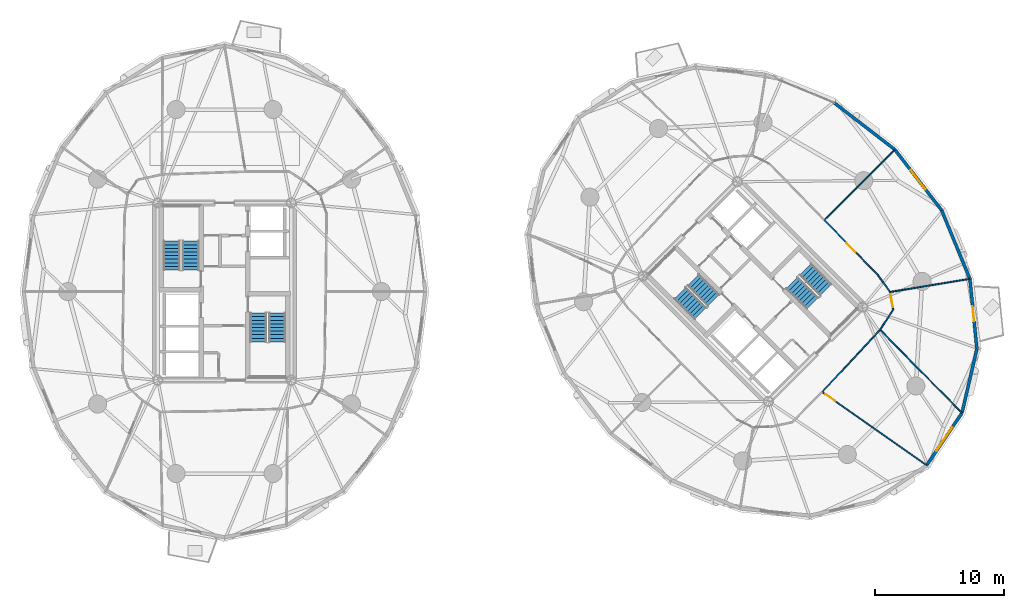
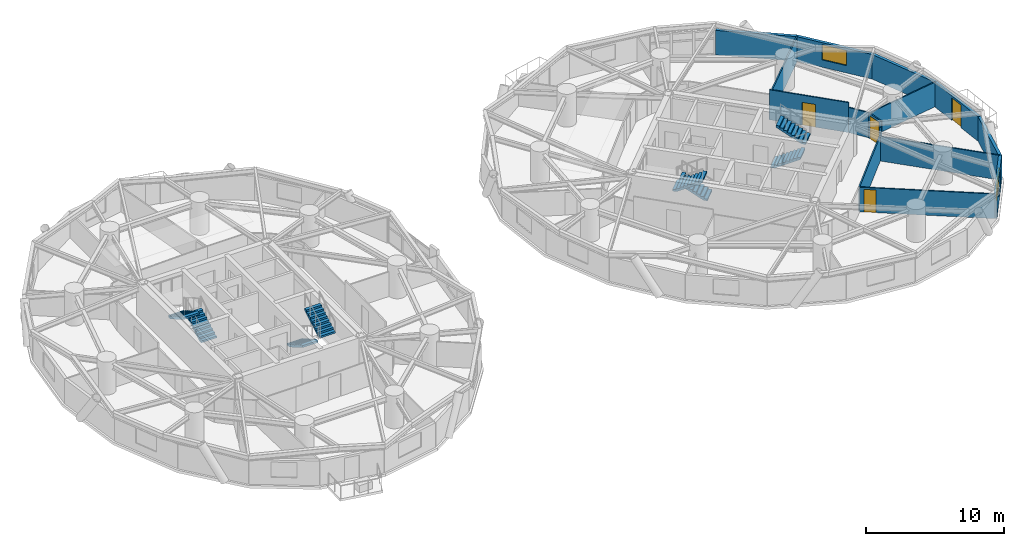
# One storey, part 14 of 17: 15 walls, 8 stair flights, 4 doors, 2 windows, 6 openings, 4 elements without a shape of their own.
"""IFC4 building model written with IfcOpenShell, lengths in metres."""

from ifc_helpers import new_model, si_unit, direction, frame, frame_2d, origin, place, context, subcontext, project, spatial, polyline, rectangle, outline, extrude, source, transform, mapped, material, layer, layer_set, type_object, element, fill, aggregate, save


model = new_model("IFC4")

# Units and contexts
model_context = context("Model", 3, precision=1e-05, world=origin(), true_north=direction((0.0, 1.0)))
body_context = subcontext(model_context, "Body", "Model", "MODEL_VIEW")
ifc_project = project(units=[si_unit("LENGTHUNIT", "METRE"), si_unit("AREAUNIT", "SQUARE_METRE"), si_unit("VOLUMEUNIT", "CUBIC_METRE"), si_unit("PLANEANGLEUNIT", "RADIAN"), si_unit("MASSUNIT", "GRAM", prefix="KILO")], contexts=[model_context])

# Site, building, storey
site_placement = place(None, origin())
site = spatial("IfcSite", under=ifc_project, at=site_placement, CompositionType="ELEMENT")
building_placement = place(site_placement, origin())
building = spatial("IfcBuilding", under=site, at=building_placement, Name="Cununo Teusaquillo Station Towers", CompositionType="ELEMENT")
storey_placement = place(building_placement, frame((0.0, 0.0, 96.340087890625)))
storey = spatial("IfcBuildingStorey", under=building, at=storey_placement, Name="L30", CompositionType="ELEMENT", Elevation=96.340087890625)

# Wall
ifc_material_1 = material(Name="Precast concrete C40/50", Category="concrete")
ifc_layer_1 = layer(ifc_material_1, 0.239990234375)
ifc_layer_set_1 = layer_set([ifc_layer_1], Name="Precast concrete C40/50")
wall_type_1 = type_object("IfcWallType", Name="WL-EXT-240", PredefinedType="SOLIDWALL", material=ifc_layer_set_1)
wall_1_placement = place(storey_placement, frame((63.811279296875, 39.145263671875, 0.0), z_axis=(0.0, 0.0, 1.0), x_axis=(0.791982052206, -0.61054437102, 0.0)))
element("IfcWall", 1, at=wall_1_placement, inside=storey, type_object=wall_type_1, Name="L30 Tower B Exterior Facade Wall C00", PredefinedType="SOLIDWALL", context=body_context, shape_type="SweptSolid", body=[
    extrude(rectangle(XDim=5.942138671875, YDim=0.239990234375, at=frame_2d((2.97119140625, 0.0))), origin(), (0.0, 0.0, 1.0), 2.178955078125),
])

# Wall, opening, window
wall_2_placement = place(storey_placement, frame((73.72900390625, 15.080078125, 0.0), z_axis=(0.0, 0.0, 1.0), x_axis=(-0.559572880421, -0.828781148131, 0.0)))
wall_2 = element("IfcWall", 2, at=wall_2_placement, inside=storey, type_object=wall_type_1, Name="L30 Tower B Exterior Facade Wall C15", PredefinedType="SOLIDWALL", context=body_context, shape_type="SweptSolid", body=[
    extrude(rectangle(XDim=4.904541015625, YDim=0.239990234375, at=frame_2d((2.4521484375, 0.0))), origin(), (0.0, 0.0, 1.0), 2.178955078125),
])
shared_shape_1 = source(origin(), body_context, "Body", "SweptSolid", [
    extrude(rectangle(XDim=2.199951171875, YDim=1.35009765625, at=frame_2d((1.10009765625, 0.675048828125))), frame((0.0, 0.1298828125, 0.0), z_axis=(0.0, -1.0, 0.0), x_axis=(1.0, 0.0, 0.0)), (0.0, 0.0, 1.0), 0.260009765625),
])
opening_1_placement = place(wall_2_placement, frame((1.35205078125, 0.0, 0.64990234375)))
opening_1 = element("IfcOpeningElement", 3, at=opening_1_placement, cuts=wall_2, Name="Opening WN-01", PredefinedType="OPENING", context=body_context, shape_type="MappedRepresentation", body=[
    mapped(shared_shape_1, transform((0.0, 0.0, 0.0), x_axis=(1.0, 0.0, 0.0), y_axis=(0.0, 1.0, 0.0), z_axis=(0.0, 0.0, 1.0), scale=1.0)),
])
ifc_material_2 = material(Name="Ceramic-fritted dark low-E double glazing", Category="glass")
window_type_1 = type_object("IfcWindowType", Name="WIN-FRIT-2200", PartitioningType="DOUBLE_PANEL_VERTICAL", PredefinedType="WINDOW", material=ifc_material_2)
shared_shape_2 = source(origin(), body_context, "Body", "SweptSolid", [
    extrude(rectangle(XDim=2.199951171875, YDim=1.35009765625, at=frame_2d((1.10009765625, 0.675048828125))), frame((0.0, 0.030029296875, 0.0), z_axis=(0.0, -1.0, 0.0), x_axis=(1.0, 0.0, 0.0)), (0.0, 0.0, 1.0), 0.06005859375),
])
window_1_placement = place(opening_1_placement, origin())
window_1 = element("IfcWindow", 4, at=window_1_placement, inside=storey, type_object=window_type_1, Name="L30 Tower B Facade Window C15", OverallHeight=1.35009765625, OverallWidth=2.199951171875, PartitioningType="DOUBLE_PANEL_VERTICAL", PredefinedType="WINDOW", context=body_context, shape_type="MappedRepresentation", body=[
    mapped(shared_shape_2, transform((0.0, 0.0, 0.0), x_axis=(1.0, 0.0, 0.0), y_axis=(0.0, 1.0, 0.0), z_axis=(0.0, 0.0, 1.0), scale=1.0)),
])
fill(opening_1, window_1)

# Wall
wall_3_placement = place(storey_placement, frame((74.885009765625, 20.066650390625, 0.0), z_axis=(0.0, 0.0, 1.0), x_axis=(-0.225834725257, -0.974165631126, 0.0)))
element("IfcWall", 5, at=wall_3_placement, inside=storey, type_object=wall_type_1, Name="L30 Tower B Exterior Facade Wall C16", PredefinedType="SOLIDWALL", context=body_context, shape_type="SweptSolid", body=[
    extrude(rectangle(XDim=5.118896484375, YDim=0.239990234375, at=frame_2d((2.5595703125, 0.0))), origin(), (0.0, 0.0, 1.0), 2.178955078125),
])

# Wall, opening, door
wall_4_placement = place(storey_placement, frame((74.33935546875, 25.4873046875, 0.0), z_axis=(0.0, 0.0, 1.0), x_axis=(0.10015591906, -0.994971754311, 0.0)))
wall_4 = element("IfcWall", 6, at=wall_4_placement, inside=storey, type_object=wall_type_1, Name="L30 Tower B Exterior Facade Wall C17", PredefinedType="SOLIDWALL", context=body_context, shape_type="SweptSolid", body=[
    extrude(rectangle(XDim=5.447998046875, YDim=0.239990234375, at=frame_2d((2.72412109375, 0.0))), origin(), (0.0, 0.0, 1.0), 2.178955078125),
])
shared_shape_3 = source(origin(), body_context, "Body", "SweptSolid", [
    extrude(rectangle(XDim=1.14990234375, YDim=2.0048828125, at=frame_2d((0.574951171875, 1.00244140625))), frame((0.0, 0.1298828125, 0.0), z_axis=(0.0, -1.0, 0.0), x_axis=(1.0, 0.0, 0.0)), (0.0, 0.0, 1.0), 0.260009765625),
])
opening_2_placement = place(wall_4_placement, frame((2.14892578125, 0.0, 0.0)))
opening_2 = element("IfcOpeningElement", 7, at=opening_2_placement, cuts=wall_4, Name="Opening ED-03", PredefinedType="OPENING", context=body_context, shape_type="MappedRepresentation", body=[
    mapped(shared_shape_3, transform((0.0, 0.0, 0.0), x_axis=(1.0, 0.0, 0.0), y_axis=(0.0, 1.0, 0.0), z_axis=(0.0, 0.0, 1.0), scale=1.0)),
])
ifc_material_3 = material(Name="Anodised dark bronze aluminium EN AW-6063-T6", Category="aluminium")
door_type_1 = type_object("IfcDoorType", Name="DR-EXT-BAL", OperationType="NOTDEFINED", PredefinedType="DOOR", material=ifc_material_3)
shared_shape_4 = source(origin(), body_context, "Body", "SweptSolid", [
    extrude(rectangle(XDim=1.14990234375, YDim=2.0048828125, at=frame_2d((0.574951171875, 1.00244140625))), frame((0.0, 0.02490234375, 0.0), z_axis=(0.0, -1.0, 0.0), x_axis=(1.0, 0.0, 0.0)), (0.0, 0.0, 1.0), 0.050048828125),
])
door_1_placement = place(opening_2_placement, origin())
door_1 = element("IfcDoor", 8, at=door_1_placement, inside=storey, type_object=door_type_1, Name="L30 Tower B Tree Balcony Door C17", OperationType="SINGLE_SWING_LEFT", OverallHeight=2.0048828125, OverallWidth=1.14990234375, PredefinedType="DOOR", context=body_context, shape_type="MappedRepresentation", body=[
    mapped(shared_shape_4, transform((0.0, 0.0, 0.0), x_axis=(1.0, 0.0, 0.0), y_axis=(0.0, 1.0, 0.0), z_axis=(0.0, 0.0, 1.0), scale=1.0)),
])
fill(opening_2, door_1)

# Wall
wall_5_placement = place(storey_placement, frame((72.145263671875, 30.811279296875, 0.0), z_axis=(0.0, 0.0, 1.0), x_axis=(0.381027003055, -0.924563909604, 0.0)))
element("IfcWall", 9, at=wall_5_placement, inside=storey, type_object=wall_type_1, Name="L30 Tower B Exterior Facade Wall C18", PredefinedType="SOLIDWALL", context=body_context, shape_type="SweptSolid", body=[
    extrude(rectangle(XDim=5.75830078125, YDim=0.239990234375, at=frame_2d((2.879150390625, 0.0))), origin(), (0.0, 0.0, 1.0), 2.178955078125),
])

# Wall, opening, window
wall_6_placement = place(storey_placement, frame((68.517333984375, 35.517333984375, 0.0), z_axis=(0.0, 0.0, 1.0), x_axis=(0.61054437102, -0.791982052206, 0.0)))
wall_6 = element("IfcWall", 10, at=wall_6_placement, inside=storey, type_object=wall_type_1, Name="L30 Tower B Exterior Facade Wall C19", PredefinedType="SOLIDWALL", context=body_context, shape_type="SweptSolid", body=[
    extrude(rectangle(XDim=5.942138671875, YDim=0.239990234375, at=frame_2d((2.97119140625, 0.0))), origin(), (0.0, 0.0, 1.0), 2.178955078125),
])
shared_shape_5 = source(origin(), body_context, "Body", "SweptSolid", [
    extrude(rectangle(XDim=1.89990234375, YDim=1.35009765625, at=frame_2d((0.949951171875, 0.675048828125))), frame((0.0, 0.1298828125, 0.0), z_axis=(0.0, -1.0, 0.0), x_axis=(1.0, 0.0, 0.0)), (0.0, 0.0, 1.0), 0.260009765625),
])
opening_3_placement = place(wall_6_placement, frame((2.02099609375, 0.0, 0.64990234375)))
opening_3 = element("IfcOpeningElement", 11, at=opening_3_placement, cuts=wall_6, Name="Opening WN-02", PredefinedType="OPENING", context=body_context, shape_type="MappedRepresentation", body=[
    mapped(shared_shape_5, transform((0.0, 0.0, 0.0), x_axis=(1.0, 0.0, 0.0), y_axis=(0.0, 1.0, 0.0), z_axis=(0.0, 0.0, 1.0), scale=1.0)),
])
ifc_material_4 = material(Name="Operable acoustic tinted low-E double glazing", Category="glass")
window_type_2 = type_object("IfcWindowType", Name="WIN-OPER-1900", PartitioningType="DOUBLE_PANEL_VERTICAL", PredefinedType="WINDOW", material=ifc_material_4)
shared_shape_6 = source(origin(), body_context, "Body", "SweptSolid", [
    extrude(rectangle(XDim=1.89990234375, YDim=1.35009765625, at=frame_2d((0.949951171875, 0.675048828125))), frame((0.0, 0.030029296875, 0.0), z_axis=(0.0, -1.0, 0.0), x_axis=(1.0, 0.0, 0.0)), (0.0, 0.0, 1.0), 0.06005859375),
])
window_2_placement = place(opening_3_placement, origin())
window_2 = element("IfcWindow", 12, at=window_2_placement, inside=storey, type_object=window_type_2, Name="L30 Tower B Facade Window C19", OverallHeight=1.35009765625, OverallWidth=1.89990234375, PartitioningType="DOUBLE_PANEL_VERTICAL", PredefinedType="WINDOW", context=body_context, shape_type="MappedRepresentation", body=[
    mapped(shared_shape_6, transform((0.0, 0.0, 0.0), x_axis=(1.0, 0.0, 0.0), y_axis=(0.0, 1.0, 0.0), z_axis=(0.0, 0.0, 1.0), scale=1.0)),
])
fill(opening_3, window_2)

# Walls
ifc_material_5 = material(Name="Fire-rated gypsum plasterboard partition assembly", Category="gypsum")
ifc_layer_2 = layer(ifc_material_5, 0.10009765625)
ifc_layer_set_2 = layer_set([ifc_layer_2], Name="Fire-rated gypsum plasterboard partition assembly")
wall_type_2 = type_object("IfcWallType", Name="WL-PART-100", PredefinedType="MOVABLE", material=ifc_layer_set_2)
wall_7_placement = place(storey_placement, frame((62.874755859375, 16.709228515625, 0.0), z_axis=(0.0, 0.0, 1.0), x_axis=(0.682290572861, 0.731081099595, 0.0)))
element("IfcWall", 13, at=wall_7_placement, inside=storey, type_object=wall_type_2, Name="L30 Tower B Corridor Ring Wall C15", PredefinedType="MOVABLE", context=body_context, shape_type="SweptSolid", body=[
    extrude(rectangle(XDim=6.60009765625, YDim=0.10009765625, at=frame_2d((3.300048828125, 0.0))), origin(), (0.0, 0.0, 1.0), 2.224853515625),
])
wall_8_placement = place(storey_placement, frame((67.3779296875, 21.534423828125, 0.0), z_axis=(0.0, 0.0, 1.0), x_axis=(0.54130306552, 0.840827563332, 0.0)))
element("IfcWall", 14, at=wall_8_placement, inside=storey, type_object=wall_type_2, Name="L30 Tower B Corridor Ring Wall C16", PredefinedType="MOVABLE", context=body_context, shape_type="SweptSolid", body=[
    extrude(rectangle(XDim=1.877197265625, YDim=0.10009765625, at=frame_2d((0.9384765625, 0.0))), origin(), (0.0, 0.0, 1.0), 2.224853515625),
])

# Wall, opening, door
wall_9_placement = place(storey_placement, frame((68.39404296875, 23.11279296875, 0.0), z_axis=(0.0, 0.0, 1.0), x_axis=(-0.177868948753, 0.984054184011, 0.0)))
wall_9 = element("IfcWall", 15, at=wall_9_placement, inside=storey, type_object=wall_type_2, Name="L30 Tower B Corridor Ring Wall C17", PredefinedType="MOVABLE", context=body_context, shape_type="SweptSolid", body=[
    extrude(rectangle(XDim=1.3740234375, YDim=0.10009765625, at=frame_2d((0.68701171875, 0.0))), origin(), (0.0, 0.0, 1.0), 2.224853515625),
])
shared_shape_7 = source(origin(), body_context, "Body", "SweptSolid", [
    extrude(rectangle(XDim=1.050048828125, YDim=2.014892578125, at=frame_2d((0.52490234375, 1.00732421875))), frame((0.0, 0.06005859375, 0.0), z_axis=(0.0, -1.0, 0.0), x_axis=(1.0, 0.0, 0.0)), (0.0, 0.0, 1.0), 0.1201171875),
])
opening_4_placement = place(wall_9_placement, frame((0.162109375, 0.0, 0.0)))
opening_4 = element("IfcOpeningElement", 16, at=opening_4_placement, cuts=wall_9, Name="Opening D-SU1", PredefinedType="OPENING", context=body_context, shape_type="MappedRepresentation", body=[
    mapped(shared_shape_7, transform((0.0, 0.0, 0.0), x_axis=(1.0, 0.0, 0.0), y_axis=(0.0, 1.0, 0.0), z_axis=(0.0, 0.0, 1.0), scale=1.0)),
])
ifc_material_6 = material(Name="Acoustic solid-core hardwood leaf assembly", Category="wood")
door_type_2 = type_object("IfcDoorType", Name="DR-SUITE-1050", OperationType="NOTDEFINED", PredefinedType="DOOR", material=ifc_material_6)
shared_shape_8 = source(origin(), body_context, "Body", "SweptSolid", [
    extrude(rectangle(XDim=1.050048828125, YDim=2.014892578125, at=frame_2d((0.52490234375, 1.00732421875))), frame((0.0, 0.02490234375, 0.0), z_axis=(0.0, -1.0, 0.0), x_axis=(1.0, 0.0, 0.0)), (0.0, 0.0, 1.0), 0.050048828125),
])
door_2_placement = place(opening_4_placement, origin())
door_2 = element("IfcDoor", 17, at=door_2_placement, inside=storey, type_object=door_type_2, Name="L30 Tower B Traders Quiet Recovery Pantry Entrance Door", OperationType="SINGLE_SWING_LEFT", OverallHeight=2.014892578125, OverallWidth=1.050048828125, PredefinedType="DOOR", context=body_context, shape_type="MappedRepresentation", body=[
    mapped(shared_shape_8, transform((0.0, 0.0, 0.0), x_axis=(1.0, 0.0, 0.0), y_axis=(0.0, 1.0, 0.0), z_axis=(0.0, 0.0, 1.0), scale=1.0)),
])
fill(opening_4, door_2)

# Wall
wall_10_placement = place(storey_placement, frame((68.149658203125, 24.46484375, 0.0), z_axis=(0.0, 0.0, 1.0), x_axis=(-0.58376767291, 0.811920749868, 0.0)))
element("IfcWall", 18, at=wall_10_placement, inside=storey, type_object=wall_type_2, Name="L30 Tower B Corridor Ring Wall C18", PredefinedType="MOVABLE", context=body_context, shape_type="SweptSolid", body=[
    extrude(rectangle(XDim=1.605224609375, YDim=0.10009765625, at=frame_2d((0.802734375, 0.0))), origin(), (0.0, 0.0, 1.0), 2.224853515625),
])

# Wall, opening, door
wall_11_placement = place(storey_placement, frame((67.212646484375, 25.76806640625, 0.0), z_axis=(0.0, 0.0, 1.0), x_axis=(-0.696916079748, 0.717152687918, 0.0)))
wall_11 = element("IfcWall", 19, at=wall_11_placement, inside=storey, type_object=wall_type_2, Name="L30 Tower B Corridor Ring Wall C19", PredefinedType="MOVABLE", context=body_context, shape_type="SweptSolid", body=[
    extrude(rectangle(XDim=5.971923828125, YDim=0.10009765625, at=frame_2d((2.98583984375, 0.0))), origin(), (0.0, 0.0, 1.0), 2.655029296875),
])
shared_shape_9 = source(origin(), body_context, "Body", "SweptSolid", [
    extrude(rectangle(XDim=1.0, YDim=2.014892578125, at=frame_2d((0.5, 1.00732421875))), frame((0.0, 0.06005859375, 0.0), z_axis=(0.0, -1.0, 0.0), x_axis=(1.0, 0.0, 0.0)), (0.0, 0.0, 1.0), 0.1201171875),
])
opening_5_placement = place(wall_11_placement, frame((2.486083984375, 0.0, 0.0)))
opening_5 = element("IfcOpeningElement", 20, at=opening_5_placement, cuts=wall_11, Name="Opening D-AC1", PredefinedType="OPENING", context=body_context, shape_type="MappedRepresentation", body=[
    mapped(shared_shape_9, transform((0.0, 0.0, 0.0), x_axis=(1.0, 0.0, 0.0), y_axis=(0.0, 1.0, 0.0), z_axis=(0.0, 0.0, 1.0), scale=1.0)),
])
ifc_material_7 = material(Name="Acoustic solid-core hardwood leaf assembly", Category="wood")
door_type_3 = type_object("IfcDoorType", Name="DR-ACC-1000", OperationType="NOTDEFINED", PredefinedType="DOOR", material=ifc_material_7)
shared_shape_10 = source(origin(), body_context, "Body", "SweptSolid", [
    extrude(rectangle(XDim=1.0, YDim=2.014892578125, at=frame_2d((0.5, 1.00732421875))), frame((0.0, 0.02490234375, 0.0), z_axis=(0.0, -1.0, 0.0), x_axis=(1.0, 0.0, 0.0)), (0.0, 0.0, 1.0), 0.050048828125),
])
door_3_placement = place(opening_5_placement, origin())
door_3 = element("IfcDoor", 21, at=door_3_placement, inside=storey, type_object=door_type_3, Name="L30 Tower B Public Accessible Restroom WC Entrance Door", OperationType="SINGLE_SWING_RIGHT", OverallHeight=2.014892578125, OverallWidth=1.0, PredefinedType="DOOR", context=body_context, shape_type="MappedRepresentation", body=[
    mapped(shared_shape_10, transform((0.0, 0.0, 0.0), x_axis=(1.0, 0.0, 0.0), y_axis=(0.0, 1.0, 0.0), z_axis=(0.0, 0.0, 1.0), scale=1.0)),
])
fill(opening_5, door_3)

# Walls
wall_12_placement = place(storey_placement, frame((63.05078125, 30.05078125, 0.0), z_axis=(0.0, 0.0, 1.0), x_axis=(0.707106781187, 0.707106781187, 0.0)))
element("IfcWall", 22, at=wall_12_placement, inside=storey, type_object=wall_type_2, Name="L30 Tower B Radial Suite Partition R01", PredefinedType="MOVABLE", context=body_context, shape_type="SweptSolid", body=[
    extrude(rectangle(XDim=7.711181640625, YDim=0.10009765625, at=frame_2d((3.85546875, 0.0))), origin(), (0.0, 0.0, 1.0), 2.178955078125),
])
wall_13_placement = place(storey_placement, frame((67.3779296875, 21.534423828125, 0.0), z_axis=(0.0, 0.0, 1.0), x_axis=(0.700878918497, -0.713280268622, 0.0)))
element("IfcWall", 23, at=wall_13_placement, inside=storey, type_object=wall_type_2, Name="L30 Tower B Radial Suite Partition R07", PredefinedType="MOVABLE", context=body_context, shape_type="SweptSolid", body=[
    extrude(rectangle(XDim=9.0361328125, YDim=0.10009765625, at=frame_2d((4.51806640625, 0.0))), origin(), (0.0, 0.0, 1.0), 2.178955078125),
])
wall_14_placement = place(storey_placement, frame((68.149658203125, 24.46484375, 0.0), z_axis=(0.0, 0.0, 1.0), x_axis=(0.986627164528, 0.162993368625, 0.0)))
element("IfcWall", 24, at=wall_14_placement, inside=storey, type_object=wall_type_2, Name="L30 Tower B Radial Suite Partition R08", PredefinedType="MOVABLE", context=body_context, shape_type="SweptSolid", body=[
    extrude(rectangle(XDim=6.253662109375, YDim=0.10009765625, at=frame_2d((3.126953125, 0.0))), origin(), (0.0, 0.0, 1.0), 2.178955078125),
])

# Wall, opening, door
wall_15_placement = place(storey_placement, frame((62.874755859375, 16.709228515625, 0.0), z_axis=(0.0, 0.0, 1.0), x_axis=(0.818628370173, -0.574323594804, 0.0)))
wall_15 = element("IfcWall", 25, at=wall_15_placement, inside=storey, type_object=wall_type_2, Name="L30 Tower B Algorithmic Backtesting Lab Suite Subdividing Wall", PredefinedType="MOVABLE", context=body_context, shape_type="SweptSolid", body=[
    extrude(rectangle(XDim=9.889404296875, YDim=0.10009765625, at=frame_2d((4.94482421875, 0.0))), origin(), (0.0, 0.0, 1.0), 2.178955078125),
])
shared_shape_11 = source(origin(), body_context, "Body", "SweptSolid", [
    extrude(rectangle(XDim=0.89990234375, YDim=2.0048828125, at=frame_2d((0.449951171875, 1.00244140625))), frame((0.0, 0.06005859375, 0.0), z_axis=(0.0, -1.0, 0.0), x_axis=(1.0, 0.0, 0.0)), (0.0, 0.0, 1.0), 0.1201171875),
])
opening_6_placement = place(wall_15_placement, frame((0.330078125, 0.0, 0.0)))
opening_6 = element("IfcOpeningElement", 26, at=opening_6_placement, cuts=wall_15, Name="Opening D-IN1", PredefinedType="OPENING", context=body_context, shape_type="MappedRepresentation", body=[
    mapped(shared_shape_11, transform((0.0, 0.0, 0.0), x_axis=(1.0, 0.0, 0.0), y_axis=(0.0, 1.0, 0.0), z_axis=(0.0, 0.0, 1.0), scale=1.0)),
])
ifc_material_8 = material(Name="Acoustic solid-core hardwood leaf assembly", Category="wood")
door_type_4 = type_object("IfcDoorType", Name="DR-INT-900", OperationType="NOTDEFINED", PredefinedType="DOOR", material=ifc_material_8)
shared_shape_12 = source(origin(), body_context, "Body", "SweptSolid", [
    extrude(rectangle(XDim=0.89990234375, YDim=2.0048828125, at=frame_2d((0.449951171875, 1.00244140625))), frame((0.0, 0.02490234375, 0.0), z_axis=(0.0, -1.0, 0.0), x_axis=(1.0, 0.0, 0.0)), (0.0, 0.0, 1.0), 0.050048828125),
])
door_4_placement = place(opening_6_placement, origin())
door_4 = element("IfcDoor", 27, at=door_4_placement, inside=storey, type_object=door_type_4, Name="L30 Tower B Algorithmic Backtesting Lab Suite Connecting Door", OperationType="SINGLE_SWING_RIGHT", OverallHeight=2.0048828125, OverallWidth=0.89990234375, PredefinedType="DOOR", context=body_context, shape_type="MappedRepresentation", body=[
    mapped(shared_shape_12, transform((0.0, 0.0, 0.0), x_axis=(1.0, 0.0, 0.0), y_axis=(0.0, 1.0, 0.0), z_axis=(0.0, 0.0, 1.0), scale=1.0)),
])
fill(opening_6, door_4)

# Stair, stair flights
ifc_material_9 = material(Name="Concrete C50/60", Category="concrete")
stair_type = type_object("IfcStairType", Name="ST-TWR-1300", PredefinedType="HALF_TURN_STAIR", material=ifc_material_9)
stair_1_placement = place(storey_placement, origin())
stair_1 = element("IfcStair", 28, at=stair_1_placement, inside=storey, type_object=stair_type, Name="L30 Tower A Protected Core Exit Stair 1", PredefinedType="HALF_TURN_STAIR")
ifc_material_10 = material(Name="Concrete C50/60", Category="concrete")
stair_flight_type = type_object("IfcStairFlightType", Name="SFL-TWR-1300", PredefinedType="STRAIGHT", material=ifc_material_10)
stair_flight_1_placement = place(storey_placement, frame((13.8701171875, 26.169921875, 0.0), z_axis=(0.0, 0.0, 1.0), x_axis=(0.0, 1.0, 0.0)))
stair_flight_1 = element("IfcStairFlight", 29, at=stair_flight_1_placement, type_object=stair_flight_type, Name="ST-T1-1 flight 1", NumberOfRisers=9, NumberOfTreads=8, PredefinedType="STRAIGHT", RiserHeight=0.161666667, TreadLength=0.28, context=body_context, shape_type="SweptSolid", body=[
    extrude(outline(polyline([(0.0, 0.0), (0.0, 0.16162109375), (0.280029296875, 0.16162109375), (0.280029296875, 0.3232421875), (0.56005859375, 0.3232421875), (0.56005859375, 0.485107421875), (0.840087890625, 0.485107421875), (0.840087890625, 0.646728515625), (1.1201171875, 0.646728515625), (1.1201171875, 0.808349609375), (1.39990234375, 0.808349609375), (1.39990234375, 0.969970703125), (1.679931640625, 0.969970703125), (1.679931640625, 1.131591796875), (1.9599609375, 1.131591796875), (1.9599609375, 1.293212890625), (2.239990234375, 1.293212890625), (2.239990234375, 1.455078125), (2.239990234375, 1.1201171875), (0.2998046875, 0.0), (0.0, 0.0)])), frame((0.0, 0.64990234375, 0.0), z_axis=(0.0, -1.0, 0.0), x_axis=(1.0, 0.0, 0.0)), (0.0, 0.0, 1.0), 1.300048828125),
])
stair_flight_2_placement = place(storey_placement, frame((12.409912109375, 28.409912109375, 1.454833984375), z_axis=(0.0, 0.0, 1.0), x_axis=(0.0, -1.0, 0.0)))
stair_flight_2 = element("IfcStairFlight", 30, at=stair_flight_2_placement, type_object=stair_flight_type, Name="ST-T1-1 flight 2", NumberOfRisers=9, NumberOfTreads=8, PredefinedType="STRAIGHT", RiserHeight=0.161666667, TreadLength=0.28, context=body_context, shape_type="SweptSolid", body=[
    extrude(outline(polyline([(0.0, 0.0), (0.0, 0.16162109375), (0.280029296875, 0.16162109375), (0.280029296875, 0.3232421875), (0.56005859375, 0.3232421875), (0.56005859375, 0.485107421875), (0.840087890625, 0.485107421875), (0.840087890625, 0.646728515625), (1.1201171875, 0.646728515625), (1.1201171875, 0.808349609375), (1.39990234375, 0.808349609375), (1.39990234375, 0.969970703125), (1.679931640625, 0.969970703125), (1.679931640625, 1.131591796875), (1.9599609375, 1.131591796875), (1.9599609375, 1.293212890625), (2.239990234375, 1.293212890625), (2.239990234375, 1.455078125), (2.239990234375, 1.1201171875), (0.2998046875, 0.0), (0.0, 0.0)])), frame((0.0, 0.64990234375, 0.0), z_axis=(0.0, -1.0, 0.0), x_axis=(1.0, 0.0, 0.0)), (0.0, 0.0, 1.0), 1.300048828125),
])
aggregate(stair_1, [stair_flight_1, stair_flight_2])

stair_2_placement = place(storey_placement, origin())
stair_2 = element("IfcStair", 31, at=stair_2_placement, inside=storey, type_object=stair_type, Name="L30 Tower A Protected Core Exit Stair 2", PredefinedType="HALF_TURN_STAIR")
stair_flight_3_placement = place(storey_placement, frame((19.1298828125, 22.830078125, 0.0), z_axis=(0.0, 0.0, 1.0), x_axis=(0.0, -1.0, 0.0)))
stair_flight_3 = element("IfcStairFlight", 32, at=stair_flight_3_placement, type_object=stair_flight_type, Name="ST-T1-2 flight 1", NumberOfRisers=9, NumberOfTreads=8, PredefinedType="STRAIGHT", RiserHeight=0.161666667, TreadLength=0.28, context=body_context, shape_type="SweptSolid", body=[
    extrude(outline(polyline([(0.0, 0.0), (0.0, 0.16162109375), (0.280029296875, 0.16162109375), (0.280029296875, 0.3232421875), (0.56005859375, 0.3232421875), (0.56005859375, 0.485107421875), (0.840087890625, 0.485107421875), (0.840087890625, 0.646728515625), (1.1201171875, 0.646728515625), (1.1201171875, 0.808349609375), (1.39990234375, 0.808349609375), (1.39990234375, 0.969970703125), (1.679931640625, 0.969970703125), (1.679931640625, 1.131591796875), (1.9599609375, 1.131591796875), (1.9599609375, 1.293212890625), (2.239990234375, 1.293212890625), (2.239990234375, 1.455078125), (2.239990234375, 1.1201171875), (0.2998046875, 0.0), (0.0, 0.0)])), frame((0.0, 0.64990234375, 0.0), z_axis=(0.0, -1.0, 0.0), x_axis=(1.0, 0.0, 0.0)), (0.0, 0.0, 1.0), 1.300048828125),
])
stair_flight_4_placement = place(storey_placement, frame((20.590087890625, 20.590087890625, 1.454833984375), z_axis=(0.0, 0.0, 1.0), x_axis=(0.0, 1.0, 0.0)))
stair_flight_4 = element("IfcStairFlight", 33, at=stair_flight_4_placement, type_object=stair_flight_type, Name="ST-T1-2 flight 2", NumberOfRisers=9, NumberOfTreads=8, PredefinedType="STRAIGHT", RiserHeight=0.161666667, TreadLength=0.28, context=body_context, shape_type="SweptSolid", body=[
    extrude(outline(polyline([(0.0, 0.0), (0.0, 0.16162109375), (0.280029296875, 0.16162109375), (0.280029296875, 0.3232421875), (0.56005859375, 0.3232421875), (0.56005859375, 0.485107421875), (0.840087890625, 0.485107421875), (0.840087890625, 0.646728515625), (1.1201171875, 0.646728515625), (1.1201171875, 0.808349609375), (1.39990234375, 0.808349609375), (1.39990234375, 0.969970703125), (1.679931640625, 0.969970703125), (1.679931640625, 1.131591796875), (1.9599609375, 1.131591796875), (1.9599609375, 1.293212890625), (2.239990234375, 1.293212890625), (2.239990234375, 1.455078125), (2.239990234375, 1.1201171875), (0.2998046875, 0.0), (0.0, 0.0)])), frame((0.0, 0.64990234375, 0.0), z_axis=(0.0, -1.0, 0.0), x_axis=(1.0, 0.0, 0.0)), (0.0, 0.0, 1.0), 1.300048828125),
])
aggregate(stair_2, [stair_flight_3, stair_flight_4])

stair_3_placement = place(storey_placement, origin())
stair_3 = element("IfcStair", 34, at=stair_3_placement, inside=storey, type_object=stair_type, Name="L30 Tower B Protected Core Exit Stair 1", PredefinedType="HALF_TURN_STAIR")
stair_flight_5_placement = place(storey_placement, frame((54.45947265625, 23.8212890625, 0.0), z_axis=(0.0, 0.0, 1.0), x_axis=(-0.707106781187, 0.707106781187, 0.0)))
stair_flight_5 = element("IfcStairFlight", 35, at=stair_flight_5_placement, type_object=stair_flight_type, Name="ST-T2-1 flight 1", NumberOfRisers=9, NumberOfTreads=8, PredefinedType="STRAIGHT", RiserHeight=0.161666667, TreadLength=0.28, context=body_context, shape_type="SweptSolid", body=[
    extrude(outline(polyline([(0.0, 0.0), (0.0, 0.16162109375), (0.280029296875, 0.16162109375), (0.280029296875, 0.3232421875), (0.56005859375, 0.3232421875), (0.56005859375, 0.485107421875), (0.840087890625, 0.485107421875), (0.840087890625, 0.646728515625), (1.1201171875, 0.646728515625), (1.1201171875, 0.808349609375), (1.39990234375, 0.808349609375), (1.39990234375, 0.969970703125), (1.679931640625, 0.969970703125), (1.679931640625, 1.131591796875), (1.9599609375, 1.131591796875), (1.9599609375, 1.293212890625), (2.239990234375, 1.293212890625), (2.239990234375, 1.455078125), (2.239990234375, 1.1201171875), (0.2998046875, 0.0), (0.0, 0.0)])), frame((0.0, 0.64990234375, 0.0), z_axis=(0.0, -1.0, 0.0), x_axis=(1.0, 0.0, 0.0)), (0.0, 0.0, 1.0), 1.300048828125),
])
stair_flight_6_placement = place(storey_placement, frame((51.84326171875, 24.372802734375, 1.454833984375), z_axis=(0.0, 0.0, 1.0), x_axis=(0.707106781187, -0.707106781187, 0.0)))
stair_flight_6 = element("IfcStairFlight", 36, at=stair_flight_6_placement, type_object=stair_flight_type, Name="ST-T2-1 flight 2", NumberOfRisers=9, NumberOfTreads=8, PredefinedType="STRAIGHT", RiserHeight=0.161666667, TreadLength=0.28, context=body_context, shape_type="SweptSolid", body=[
    extrude(outline(polyline([(0.0, 0.0), (0.0, 0.16162109375), (0.280029296875, 0.16162109375), (0.280029296875, 0.3232421875), (0.56005859375, 0.3232421875), (0.56005859375, 0.485107421875), (0.840087890625, 0.485107421875), (0.840087890625, 0.646728515625), (1.1201171875, 0.646728515625), (1.1201171875, 0.808349609375), (1.39990234375, 0.808349609375), (1.39990234375, 0.969970703125), (1.679931640625, 0.969970703125), (1.679931640625, 1.131591796875), (1.9599609375, 1.131591796875), (1.9599609375, 1.293212890625), (2.239990234375, 1.293212890625), (2.239990234375, 1.455078125), (2.239990234375, 1.1201171875), (0.2998046875, 0.0), (0.0, 0.0)])), frame((0.0, 0.64990234375, 0.0), z_axis=(0.0, -1.0, 0.0), x_axis=(1.0, 0.0, 0.0)), (0.0, 0.0, 1.0), 1.300048828125),
])
aggregate(stair_3, [stair_flight_5, stair_flight_6])

stair_4_placement = place(storey_placement, origin())
stair_4 = element("IfcStair", 37, at=stair_4_placement, inside=storey, type_object=stair_type, Name="L30 Tower B Protected Core Exit Stair 2", PredefinedType="HALF_TURN_STAIR")
stair_flight_7_placement = place(storey_placement, frame((60.54052734375, 25.1787109375, 0.0), z_axis=(0.0, 0.0, 1.0), x_axis=(0.707106781187, -0.707106781187, 0.0)))
stair_flight_7 = element("IfcStairFlight", 38, at=stair_flight_7_placement, type_object=stair_flight_type, Name="ST-T2-2 flight 1", NumberOfRisers=9, NumberOfTreads=8, PredefinedType="STRAIGHT", RiserHeight=0.161666667, TreadLength=0.28, context=body_context, shape_type="SweptSolid", body=[
    extrude(outline(polyline([(0.0, 0.0), (0.0, 0.16162109375), (0.280029296875, 0.16162109375), (0.280029296875, 0.3232421875), (0.56005859375, 0.3232421875), (0.56005859375, 0.485107421875), (0.840087890625, 0.485107421875), (0.840087890625, 0.646728515625), (1.1201171875, 0.646728515625), (1.1201171875, 0.808349609375), (1.39990234375, 0.808349609375), (1.39990234375, 0.969970703125), (1.679931640625, 0.969970703125), (1.679931640625, 1.131591796875), (1.9599609375, 1.131591796875), (1.9599609375, 1.293212890625), (2.239990234375, 1.293212890625), (2.239990234375, 1.455078125), (2.239990234375, 1.1201171875), (0.2998046875, 0.0), (0.0, 0.0)])), frame((0.0, 0.64990234375, 0.0), z_axis=(0.0, -1.0, 0.0), x_axis=(1.0, 0.0, 0.0)), (0.0, 0.0, 1.0), 1.300048828125),
])
stair_flight_8_placement = place(storey_placement, frame((63.15673828125, 24.627197265625, 1.454833984375), z_axis=(0.0, 0.0, 1.0), x_axis=(-0.707106781187, 0.707106781187, 0.0)))
stair_flight_8 = element("IfcStairFlight", 39, at=stair_flight_8_placement, type_object=stair_flight_type, Name="ST-T2-2 flight 2", NumberOfRisers=9, NumberOfTreads=8, PredefinedType="STRAIGHT", RiserHeight=0.161666667, TreadLength=0.28, context=body_context, shape_type="SweptSolid", body=[
    extrude(outline(polyline([(0.0, 0.0), (0.0, 0.16162109375), (0.280029296875, 0.16162109375), (0.280029296875, 0.3232421875), (0.56005859375, 0.3232421875), (0.56005859375, 0.485107421875), (0.840087890625, 0.485107421875), (0.840087890625, 0.646728515625), (1.1201171875, 0.646728515625), (1.1201171875, 0.808349609375), (1.39990234375, 0.808349609375), (1.39990234375, 0.969970703125), (1.679931640625, 0.969970703125), (1.679931640625, 1.131591796875), (1.9599609375, 1.131591796875), (1.9599609375, 1.293212890625), (2.239990234375, 1.293212890625), (2.239990234375, 1.455078125), (2.239990234375, 1.1201171875), (0.2998046875, 0.0), (0.0, 0.0)])), frame((0.0, 0.64990234375, 0.0), z_axis=(0.0, -1.0, 0.0), x_axis=(1.0, 0.0, 0.0)), (0.0, 0.0, 1.0), 1.300048828125),
])
aggregate(stair_4, [stair_flight_7, stair_flight_8])

save(model, "model.ifc")
